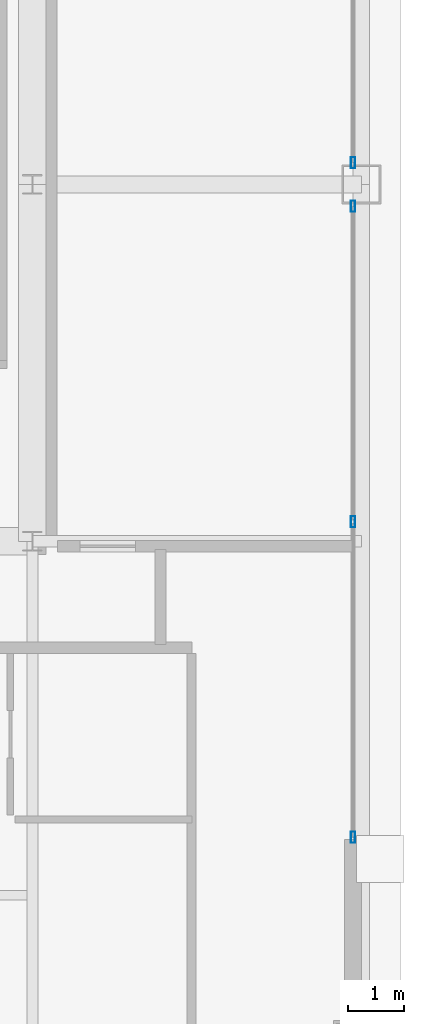
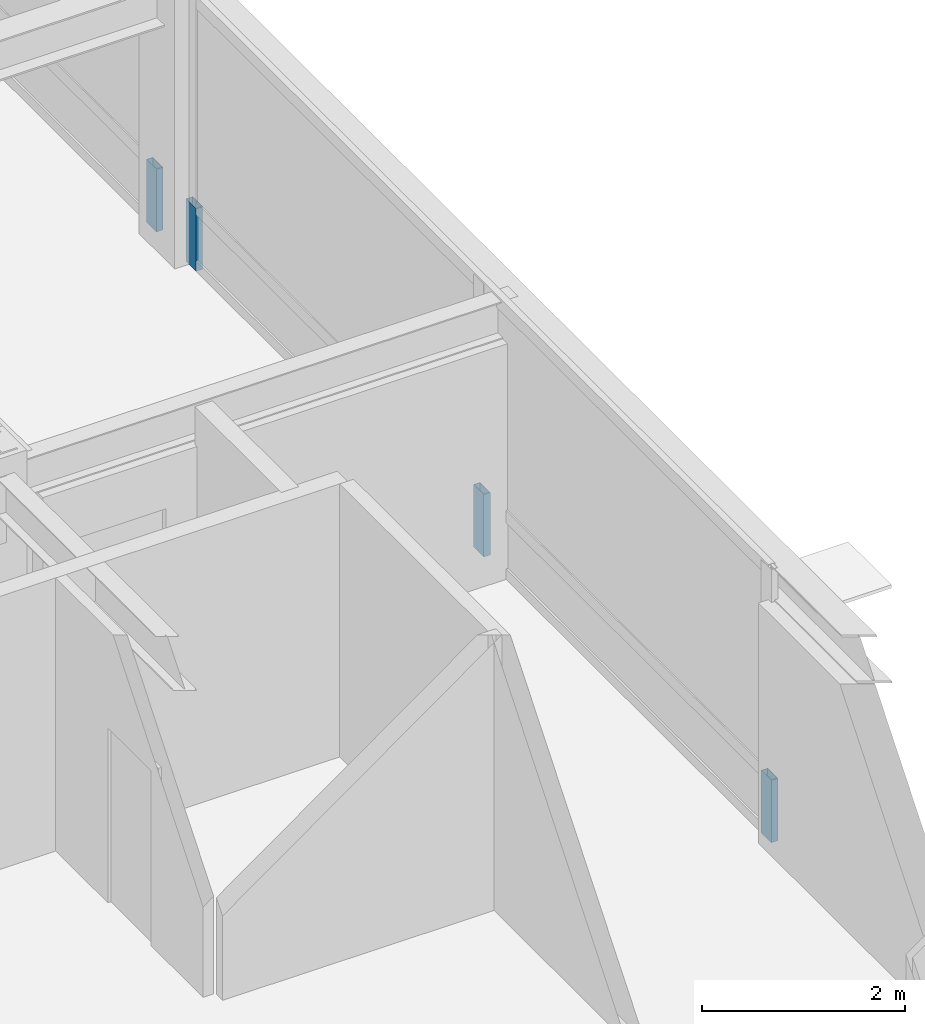
# One storey, part 25 of 35: 4 members, 2 elements without a shape of their own.
"""IFC4 building model written with IfcOpenShell, lengths in metres."""

from ifc_helpers import new_model, si_unit, direction, frame, origin, origin_2d, place, context, subcontext, project, spatial, hollow_rectangle, extrude, source, transform, mapped, material, layer, layer_set, material_profile, profile_set, type_object, element, aggregate, save


model = new_model("IFC4")

# Units and contexts
model_context = context("Model", 3, precision=1e-05, world=origin(), true_north=direction((0.0, 1.0)))
body_context = subcontext(model_context, "Body", "Model", "MODEL_VIEW")
ifc_project = project(units=[si_unit("LENGTHUNIT", "METRE"), si_unit("AREAUNIT", "SQUARE_METRE"), si_unit("VOLUMEUNIT", "CUBIC_METRE"), si_unit("PLANEANGLEUNIT", "RADIAN"), si_unit("MASSUNIT", "GRAM", prefix="KILO"), si_unit("THERMODYNAMICTEMPERATUREUNIT", "KELVIN"), si_unit("POWERUNIT", "WATT")], contexts=[model_context])

# Site, building, storey
site_placement = place(None, origin())
site = spatial("IfcSite", under=ifc_project, at=site_placement, CompositionType="ELEMENT")
building_placement = place(site_placement, origin())
building = spatial("IfcBuilding", under=site, at=building_placement, Name="Yuzanri Waterfront Tower", CompositionType="ELEMENT")
storey_placement = place(building_placement, frame((0.0, 0.0, 332.199951171875)))
storey = spatial("IfcBuildingStorey", under=building, at=storey_placement, Name="L89", CompositionType="ELEMENT", Elevation=332.199951171875)

# Curtain wall, members
ifc_material_1 = material(Name="Anodized Architectural Bronze", Category="metal")
ifc_layer = layer(ifc_material_1, 0.159912109375)
ifc_layer_set = layer_set([ifc_layer], Name="Anodized Architectural Bronze")
curtain_wall_type = type_object("IfcCurtainWallType", Name="Anodized Bronze High-Rise Penthouse High-Wind Unitized Curtain Wall 6900", PredefinedType="NOTDEFINED", material=ifc_layer_set)
curtain_wall_1_placement = place(storey_placement, origin())
curtain_wall_1 = element("IfcCurtainWall", 1, at=curtain_wall_1_placement, inside=storey, type_object=curtain_wall_type, Name="L89 Curtain Wall CW-L89-EL", PredefinedType="NOTDEFINED")
ifc_material_2 = material(Name="Anodized Architectural Bronze", Category="metal")
ifc_material_profile = material_profile(ifc_material_2, hollow_rectangle(XDim=0.074951171875, YDim=0.199951171875, WallThickness=0.00390625, at=origin_2d()), Name="CWM 75x200")
ifc_profile_set = profile_set([ifc_material_profile], Name="Anodized Architectural Bronze")
member_type = type_object("IfcMemberType", Name="Anodized Bronze Primary Curtain-Wall Mullion 75x200", PredefinedType="MULLION", material=ifc_profile_set)
shared_shape = source(origin(), body_context, "Body", "SweptSolid", [
    extrude(hollow_rectangle(XDim=0.074951171875, YDim=0.199951171875, WallThickness=0.00390625, at=origin_2d()), origin(), (0.0, 0.0, 1.0), 0.751953125),
])
member_1_placement = place(storey_placement, frame((55.949951171875, 14.090087890625, 0.0), z_axis=(0.0, 0.0, 1.0), x_axis=(1.0, 0.0, 0.0)))
member_1 = element("IfcMember", 2, at=member_1_placement, type_object=member_type, Name="CW-L89-EL Lower Mullion 00", PredefinedType="MULLION", context=body_context, shape_type="MappedRepresentation", body=[
    mapped(shared_shape, transform((0.0, 0.0, 0.0), scale=1.0)),
])
member_2_placement = place(storey_placement, frame((55.949951171875, 19.75, 0.0), z_axis=(0.0, 0.0, 1.0), x_axis=(1.0, 0.0, 0.0)))
member_2 = element("IfcMember", 3, at=member_2_placement, type_object=member_type, Name="CW-L89-EL Lower Mullion 01", PredefinedType="MULLION", context=body_context, shape_type="MappedRepresentation", body=[
    mapped(shared_shape, transform((0.0, 0.0, 0.0), scale=1.0)),
])
member_3_placement = place(storey_placement, frame((55.949951171875, 25.409912109375, 0.0), z_axis=(0.0, 0.0, 1.0), x_axis=(1.0, 0.0, 0.0)))
member_3 = element("IfcMember", 4, at=member_3_placement, type_object=member_type, Name="CW-L89-EL Lower Mullion 02", PredefinedType="MULLION", context=body_context, shape_type="MappedRepresentation", body=[
    mapped(shared_shape, transform((0.0, 0.0, 0.0), scale=1.0)),
])
aggregate(curtain_wall_1, [member_1, member_2, member_3])

# Curtain wall, member
curtain_wall_2_placement = place(storey_placement, origin())
curtain_wall_2 = element("IfcCurtainWall", 5, at=curtain_wall_2_placement, inside=storey, type_object=curtain_wall_type, Name="L89 Curtain Wall CW-L89-ER", PredefinedType="NOTDEFINED")
member_4_placement = place(storey_placement, frame((55.949951171875, 26.18994140625, 0.0), z_axis=(0.0, 0.0, 1.0), x_axis=(1.0, 0.0, 0.0)))
member_4 = element("IfcMember", 6, at=member_4_placement, type_object=member_type, Name="CW-L89-ER Lower Mullion 00", PredefinedType="MULLION", context=body_context, shape_type="MappedRepresentation", body=[
    mapped(shared_shape, transform((0.0, 0.0, 0.0), scale=1.0)),
])
aggregate(curtain_wall_2, [member_4])

save(model, "model.ifc")
